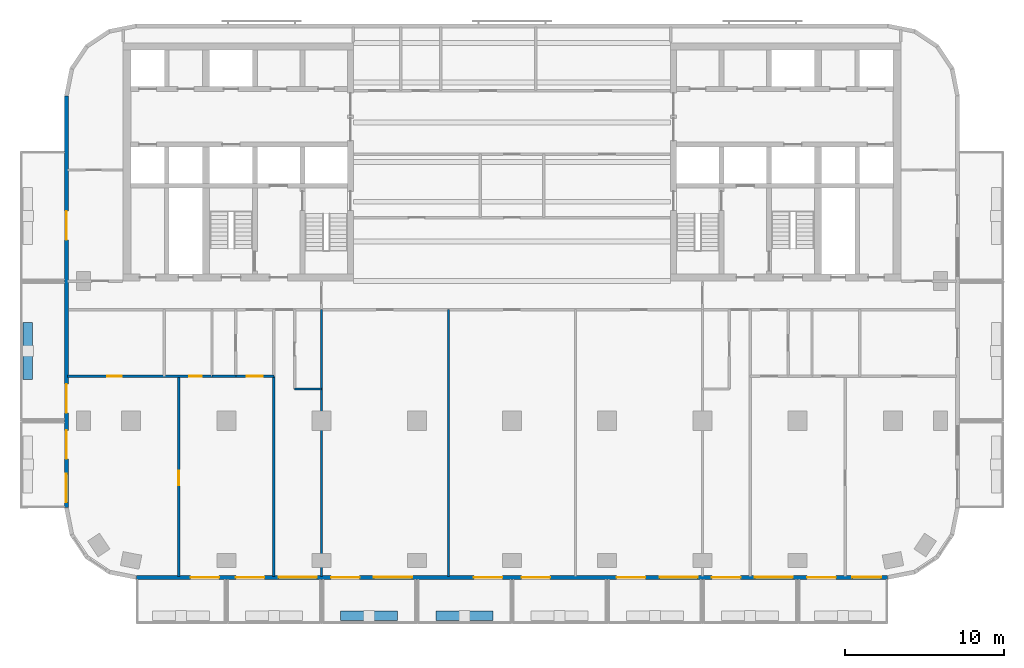
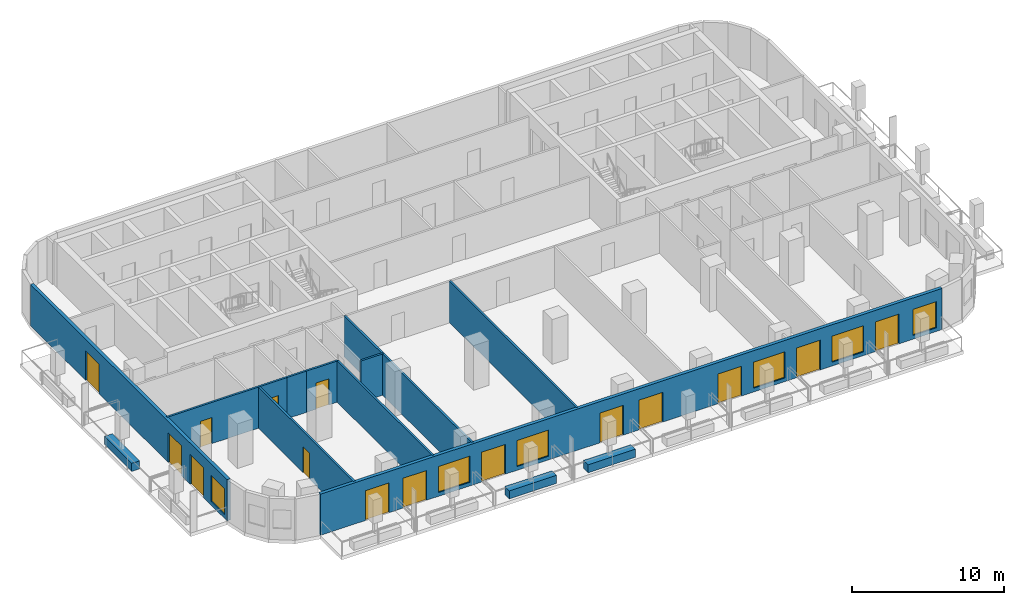
# One storey, part 2 of 11: 15 doors, 13 walls, 6 windows, 21 openings.
"""IFC4 building model written with IfcOpenShell, lengths in metres."""

from ifc_helpers import new_model, si_unit, direction, frame, frame_2d, origin, place, context, subcontext, project, spatial, rectangle, extrude, material, layer, layer_set, type_object, element, fill, save


model = new_model("IFC4")

# Units and contexts
model_context = context("Model", 3, precision=1e-05, world=origin(), true_north=direction((0.0, 1.0)))
body_context = subcontext(model_context, "Body", "Model", "MODEL_VIEW")
ifc_project = project(units=[si_unit("LENGTHUNIT", "METRE"), si_unit("AREAUNIT", "SQUARE_METRE"), si_unit("VOLUMEUNIT", "CUBIC_METRE"), si_unit("PLANEANGLEUNIT", "RADIAN"), si_unit("MASSUNIT", "GRAM", prefix="KILO")], contexts=[model_context])

# Site, building, storey
site_placement = place(None, origin())
site = spatial("IfcSite", under=ifc_project, at=site_placement, CompositionType="ELEMENT")
building_placement = place(site_placement, origin())
building = spatial("IfcBuilding", under=site, at=building_placement, Name="Torana Hotel and Residences", CompositionType="ELEMENT")
storey_placement = place(building_placement, frame((0.0, 0.0, 145.199951171875)))
storey = spatial("IfcBuildingStorey", under=building, at=storey_placement, Name="L37", CompositionType="ELEMENT", Elevation=145.199951171875)

# Wall, openings, doors, window
ifc_material_1 = material(Name="Black aluminium composite panel", Category="aluminium")
ifc_layer_1 = layer(ifc_material_1, 0.00390625, Name="Cladding", Category="cladding")
ifc_material_2 = material(Name="Ventilated air cavity")
ifc_layer_2 = layer(ifc_material_2, 0.0400390625, Name="Ventilated cavity", Category="cavity")
ifc_material_3 = material(Name="Mineral wool insulation")
ifc_layer_3 = layer(ifc_material_3, 0.090087890625, Name="Insulation", Category="insulation")
ifc_material_4 = material(Name="Steel S280GD", Category="steel")
ifc_layer_4 = layer(ifc_material_4, 0.092041015625, Name="Steel stud frame", Category="structure")
ifc_material_5 = material(Name="Fire rated plasterboard")
ifc_layer_5 = layer(ifc_material_5, 0.011962890625, Name="Inner board", Category="finish")
ifc_layer_6 = layer(ifc_material_5, 0.011962890625, Name="Second board", Category="finish")
ifc_layer_set_1 = layer_set([ifc_layer_1, ifc_layer_2, ifc_layer_3, ifc_layer_4, ifc_layer_5, ifc_layer_6], Name="EW1 EXTERNAL WALL BLACK METAL CLAD 250")
wall_type_1 = type_object("IfcWallType", Name="EW1 EXTERNAL WALL BLACK METAL CLAD 250", PredefinedType="SOLIDWALL", material=ifc_layer_set_1)
wall_1_placement = place(storey_placement, frame((-28.074951171875, -3.32470703125, 0.0), z_axis=(0.0, 0.0, 1.0), x_axis=(0.0, -1.0, 0.0)))
wall_1 = element("IfcWall", 1, at=wall_1_placement, inside=storey, type_object=wall_type_1, Name="External wall L37 e0.9", PredefinedType="SOLIDWALL", context=body_context, shape_type="SweptSolid", body=[
    extrude(rectangle(XDim=25.95068359375, YDim=0.25, at=frame_2d((12.975341796875, 0.0))), origin(), (0.0, 0.0, 1.0), 3.320068359375),
])
opening_1_placement = place(wall_1_placement, frame((7.275390625, 0.0, 0.0)))
opening_1 = element("IfcOpeningElement", 2, at=opening_1_placement, cuts=wall_1, Name="Opening L37-E12", PredefinedType="OPENING", context=body_context, shape_type="SweptSolid", body=[
    extrude(rectangle(XDim=1.800048828125, YDim=2.39990234375, at=frame_2d((0.89990234375, 1.199951171875))), frame((0.0, 0.135009765625, 0.0), z_axis=(0.0, -1.0, 0.0), x_axis=(1.0, 0.0, 0.0)), (0.0, 0.0, 1.0), 0.27001953125),
])
opening_2_placement = place(wall_1_placement, frame((18.17529296875, 0.0, 0.0)))
opening_2 = element("IfcOpeningElement", 3, at=opening_2_placement, cuts=wall_1, Name="Opening L37-E13", PredefinedType="OPENING", context=body_context, shape_type="SweptSolid", body=[
    extrude(rectangle(XDim=1.800048828125, YDim=2.39990234375, at=frame_2d((0.89990234375, 1.199951171875))), frame((0.0, 0.135009765625, 0.0), z_axis=(0.0, -1.0, 0.0), x_axis=(1.0, 0.0, 0.0)), (0.0, 0.0, 1.0), 0.27001953125),
])
opening_3_placement = place(wall_1_placement, frame((21.075439453125, 0.0, 0.0)))
opening_3 = element("IfcOpeningElement", 4, at=opening_3_placement, cuts=wall_1, Name="Opening L37-E14", PredefinedType="OPENING", context=body_context, shape_type="SweptSolid", body=[
    extrude(rectangle(XDim=1.800048828125, YDim=2.39990234375, at=frame_2d((0.89990234375, 1.199951171875))), frame((0.0, 0.135009765625, 0.0), z_axis=(0.0, -1.0, 0.0), x_axis=(1.0, 0.0, 0.0)), (0.0, 0.0, 1.0), 0.27001953125),
])
opening_4_placement = place(wall_1_placement, frame((23.825439453125, 0.0, 0.300048828125)))
opening_4 = element("IfcOpeningElement", 5, at=opening_4_placement, cuts=wall_1, Name="Opening W2", PredefinedType="OPENING", context=body_context, shape_type="SweptSolid", body=[
    extrude(rectangle(XDim=1.800048828125, YDim=2.10009765625, at=frame_2d((0.89990234375, 1.050048828125))), frame((0.0, 0.135009765625, 0.0), z_axis=(0.0, -1.0, 0.0), x_axis=(1.0, 0.0, 0.0)), (0.0, 0.0, 1.0), 0.27001953125),
])
ifc_material_6 = material(Name="Dark glass in black aluminium frame", Category="aluminium")
door_type_1 = type_object("IfcDoorType", Name="DB1 BALCONY DOOR 1800x2400", OperationType="DOUBLE_DOOR_SINGLE_SWING", PredefinedType="DOOR", material=ifc_material_6)
door_1_placement = place(opening_1_placement, origin())
door_1 = element("IfcDoor", 6, at=door_1_placement, inside=storey, type_object=door_type_1, Name="Balcony door L37", OperationType="DOUBLE_DOOR_SINGLE_SWING", OverallHeight=2.39990234375, OverallWidth=1.800048828125, PredefinedType="DOOR", context=body_context, shape_type="SweptSolid", body=[
    extrude(rectangle(XDim=1.800048828125, YDim=2.39990234375, at=frame_2d((0.89990234375, 1.199951171875))), frame((0.0, 0.02490234375, 0.0), z_axis=(0.0, -1.0, 0.0), x_axis=(1.0, 0.0, 0.0)), (0.0, 0.0, 1.0), 0.050048828125),
])
fill(opening_1, door_1)
door_2_placement = place(opening_2_placement, frame((0.89990234375, 0.0, 0.0), z_axis=(0.0, 0.0, 1.0), x_axis=(-1.0, 0.0, 0.0)))
door_2 = element("IfcDoor", 7, at=door_2_placement, inside=storey, type_object=door_type_1, Name="Balcony door L37", OperationType="DOUBLE_DOOR_SINGLE_SWING", OverallHeight=2.39990234375, OverallWidth=1.800048828125, PredefinedType="DOOR", context=body_context, shape_type="SweptSolid", body=[
    extrude(rectangle(XDim=1.800048828125, YDim=2.39990234375, at=frame_2d((0.0, 1.199951171875))), frame((0.0, -0.02490234375, 0.0), z_axis=(0.0, 1.0, 0.0), x_axis=(-1.0, 0.0, 0.0)), (0.0, 0.0, 1.0), 0.050048828125),
])
fill(opening_2, door_2)
door_3_placement = place(opening_3_placement, origin())
door_3 = element("IfcDoor", 8, at=door_3_placement, inside=storey, type_object=door_type_1, Name="Balcony door L37", OperationType="DOUBLE_DOOR_SINGLE_SWING", OverallHeight=2.39990234375, OverallWidth=1.800048828125, PredefinedType="DOOR", context=body_context, shape_type="SweptSolid", body=[
    extrude(rectangle(XDim=1.800048828125, YDim=2.39990234375, at=frame_2d((0.89990234375, 1.199951171875))), frame((0.0, 0.02490234375, 0.0), z_axis=(0.0, -1.0, 0.0), x_axis=(1.0, 0.0, 0.0)), (0.0, 0.0, 1.0), 0.050048828125),
])
fill(opening_3, door_3)
ifc_material_7 = material(Name="Dark glass in black aluminium frame", Category="aluminium")
window_type_1 = type_object("IfcWindowType", Name="W2 HOTEL ROOM WINDOW NARROW 1800x2100", PartitioningType="SINGLE_PANEL", PredefinedType="WINDOW", material=ifc_material_7)
window_1_placement = place(opening_4_placement, origin())
window_1 = element("IfcWindow", 9, at=window_1_placement, inside=storey, type_object=window_type_1, Name="Window L37", OverallHeight=2.10009765625, OverallWidth=1.800048828125, PartitioningType="SINGLE_PANEL", PredefinedType="WINDOW", context=body_context, shape_type="SweptSolid", body=[
    extrude(rectangle(XDim=1.800048828125, YDim=2.10009765625, at=frame_2d((0.89990234375, 1.050048828125))), frame((0.0, 0.030029296875, 0.0), z_axis=(0.0, -1.0, 0.0), x_axis=(1.0, 0.0, 0.0)), (0.0, 0.0, 1.0), 0.06005859375),
])
fill(opening_4, window_1)

# Wall, openings, doors, windows
wall_2_placement = place(storey_placement, frame((-23.67529296875, -33.675048828125, 0.0), z_axis=(0.0, 0.0, 1.0), x_axis=(1.0, 0.0, 0.0)))
wall_2 = element("IfcWall", 10, at=wall_2_placement, inside=storey, type_object=wall_type_1, Name="External wall L37 e0.14", PredefinedType="SOLIDWALL", context=body_context, shape_type="SweptSolid", body=[
    extrude(rectangle(XDim=47.3505859375, YDim=0.25, at=frame_2d((23.67529296875, 0.0))), origin(), (0.0, 0.0, 1.0), 3.320068359375),
])
opening_5_placement = place(wall_2_placement, frame((3.42529296875, 0.0, 0.0)))
opening_5 = element("IfcOpeningElement", 11, at=opening_5_placement, cuts=wall_2, Name="Opening L37-E01", PredefinedType="OPENING", context=body_context, shape_type="SweptSolid", body=[
    extrude(rectangle(XDim=1.800048828125, YDim=2.39990234375, at=frame_2d((0.89990234375, 1.199951171875))), frame((0.0, 0.135009765625, 0.0), z_axis=(0.0, -1.0, 0.0), x_axis=(1.0, 0.0, 0.0)), (0.0, 0.0, 1.0), 0.27001953125),
])
opening_6_placement = place(wall_2_placement, frame((6.275390625, 0.0, 0.0)))
opening_6 = element("IfcOpeningElement", 12, at=opening_6_placement, cuts=wall_2, Name="Opening L37-E02", PredefinedType="OPENING", context=body_context, shape_type="SweptSolid", body=[
    extrude(rectangle(XDim=1.800048828125, YDim=2.39990234375, at=frame_2d((0.89990234375, 1.199951171875))), frame((0.0, 0.135009765625, 0.0), z_axis=(0.0, -1.0, 0.0), x_axis=(1.0, 0.0, 0.0)), (0.0, 0.0, 1.0), 0.27001953125),
])
opening_7_placement = place(wall_2_placement, frame((8.975341796875, 0.0, 0.300048828125)))
opening_7 = element("IfcOpeningElement", 13, at=opening_7_placement, cuts=wall_2, Name="Opening W1", PredefinedType="OPENING", context=body_context, shape_type="SweptSolid", body=[
    extrude(rectangle(XDim=2.39990234375, YDim=2.10009765625, at=frame_2d((1.199951171875, 1.050048828125))), frame((0.0, 0.135009765625, 0.0), z_axis=(0.0, -1.0, 0.0), x_axis=(1.0, 0.0, 0.0)), (0.0, 0.0, 1.0), 0.27001953125),
])
opening_8_placement = place(wall_2_placement, frame((12.275390625, 0.0, 0.0)))
opening_8 = element("IfcOpeningElement", 14, at=opening_8_placement, cuts=wall_2, Name="Opening L37-E03", PredefinedType="OPENING", context=body_context, shape_type="SweptSolid", body=[
    extrude(rectangle(XDim=1.800048828125, YDim=2.39990234375, at=frame_2d((0.89990234375, 1.199951171875))), frame((0.0, 0.135009765625, 0.0), z_axis=(0.0, -1.0, 0.0), x_axis=(1.0, 0.0, 0.0)), (0.0, 0.0, 1.0), 0.27001953125),
])
opening_9_placement = place(wall_2_placement, frame((14.975341796875, 0.0, 0.300048828125)))
opening_9 = element("IfcOpeningElement", 15, at=opening_9_placement, cuts=wall_2, Name="Opening W1", PredefinedType="OPENING", context=body_context, shape_type="SweptSolid", body=[
    extrude(rectangle(XDim=2.39990234375, YDim=2.10009765625, at=frame_2d((1.199951171875, 1.050048828125))), frame((0.0, 0.135009765625, 0.0), z_axis=(0.0, -1.0, 0.0), x_axis=(1.0, 0.0, 0.0)), (0.0, 0.0, 1.0), 0.27001953125),
])
opening_10_placement = place(wall_2_placement, frame((21.275390625, 0.0, 0.0)))
opening_10 = element("IfcOpeningElement", 16, at=opening_10_placement, cuts=wall_2, Name="Opening L37-E04", PredefinedType="OPENING", context=body_context, shape_type="SweptSolid", body=[
    extrude(rectangle(XDim=1.800048828125, YDim=2.39990234375, at=frame_2d((0.89990234375, 1.199951171875))), frame((0.0, 0.135009765625, 0.0), z_axis=(0.0, -1.0, 0.0), x_axis=(1.0, 0.0, 0.0)), (0.0, 0.0, 1.0), 0.27001953125),
])
opening_11_placement = place(wall_2_placement, frame((24.275390625, 0.0, 0.0)))
opening_11 = element("IfcOpeningElement", 17, at=opening_11_placement, cuts=wall_2, Name="Opening L37-E05", PredefinedType="OPENING", context=body_context, shape_type="SweptSolid", body=[
    extrude(rectangle(XDim=1.800048828125, YDim=2.39990234375, at=frame_2d((0.89990234375, 1.199951171875))), frame((0.0, 0.135009765625, 0.0), z_axis=(0.0, -1.0, 0.0), x_axis=(1.0, 0.0, 0.0)), (0.0, 0.0, 1.0), 0.27001953125),
])
opening_12_placement = place(wall_2_placement, frame((30.275390625, 0.0, 0.0)))
opening_12 = element("IfcOpeningElement", 18, at=opening_12_placement, cuts=wall_2, Name="Opening L37-E06", PredefinedType="OPENING", context=body_context, shape_type="SweptSolid", body=[
    extrude(rectangle(XDim=1.800048828125, YDim=2.39990234375, at=frame_2d((0.89990234375, 1.199951171875))), frame((0.0, 0.135009765625, 0.0), z_axis=(0.0, -1.0, 0.0), x_axis=(1.0, 0.0, 0.0)), (0.0, 0.0, 1.0), 0.27001953125),
])
opening_13_placement = place(wall_2_placement, frame((32.975341796875, 0.0, 0.300048828125)))
opening_13 = element("IfcOpeningElement", 19, at=opening_13_placement, cuts=wall_2, Name="Opening W1", PredefinedType="OPENING", context=body_context, shape_type="SweptSolid", body=[
    extrude(rectangle(XDim=2.39990234375, YDim=2.10009765625, at=frame_2d((1.199951171875, 1.050048828125))), frame((0.0, 0.135009765625, 0.0), z_axis=(0.0, -1.0, 0.0), x_axis=(1.0, 0.0, 0.0)), (0.0, 0.0, 1.0), 0.27001953125),
])
opening_14_placement = place(wall_2_placement, frame((36.275390625, 0.0, 0.0)))
opening_14 = element("IfcOpeningElement", 20, at=opening_14_placement, cuts=wall_2, Name="Opening L37-E07", PredefinedType="OPENING", context=body_context, shape_type="SweptSolid", body=[
    extrude(rectangle(XDim=1.800048828125, YDim=2.39990234375, at=frame_2d((0.89990234375, 1.199951171875))), frame((0.0, 0.135009765625, 0.0), z_axis=(0.0, -1.0, 0.0), x_axis=(1.0, 0.0, 0.0)), (0.0, 0.0, 1.0), 0.27001953125),
])
opening_15_placement = place(wall_2_placement, frame((38.975341796875, 0.0, 0.300048828125)))
opening_15 = element("IfcOpeningElement", 21, at=opening_15_placement, cuts=wall_2, Name="Opening W1", PredefinedType="OPENING", context=body_context, shape_type="SweptSolid", body=[
    extrude(rectangle(XDim=2.39990234375, YDim=2.10009765625, at=frame_2d((1.199951171875, 1.050048828125))), frame((0.0, 0.135009765625, 0.0), z_axis=(0.0, -1.0, 0.0), x_axis=(1.0, 0.0, 0.0)), (0.0, 0.0, 1.0), 0.27001953125),
])
opening_16_placement = place(wall_2_placement, frame((42.275390625, 0.0, 0.0)))
opening_16 = element("IfcOpeningElement", 22, at=opening_16_placement, cuts=wall_2, Name="Opening L37-E08", PredefinedType="OPENING", context=body_context, shape_type="SweptSolid", body=[
    extrude(rectangle(XDim=1.800048828125, YDim=2.39990234375, at=frame_2d((0.89990234375, 1.199951171875))), frame((0.0, 0.135009765625, 0.0), z_axis=(0.0, -1.0, 0.0), x_axis=(1.0, 0.0, 0.0)), (0.0, 0.0, 1.0), 0.27001953125),
])
opening_17_placement = place(wall_2_placement, frame((45.12548828125, 0.0, 0.300048828125)))
opening_17 = element("IfcOpeningElement", 23, at=opening_17_placement, cuts=wall_2, Name="Opening W2", PredefinedType="OPENING", context=body_context, shape_type="SweptSolid", body=[
    extrude(rectangle(XDim=1.800048828125, YDim=2.10009765625, at=frame_2d((0.89990234375, 1.050048828125))), frame((0.0, 0.135009765625, 0.0), z_axis=(0.0, -1.0, 0.0), x_axis=(1.0, 0.0, 0.0)), (0.0, 0.0, 1.0), 0.27001953125),
])
door_4_placement = place(opening_5_placement, frame((0.89990234375, 0.0, 0.0), z_axis=(0.0, 0.0, 1.0), x_axis=(-1.0, 0.0, 0.0)))
door_4 = element("IfcDoor", 24, at=door_4_placement, inside=storey, type_object=door_type_1, Name="Balcony door L37", OperationType="DOUBLE_DOOR_SINGLE_SWING", OverallHeight=2.39990234375, OverallWidth=1.800048828125, PredefinedType="DOOR", context=body_context, shape_type="SweptSolid", body=[
    extrude(rectangle(XDim=1.800048828125, YDim=2.39990234375, at=frame_2d((0.0, 1.199951171875))), frame((0.0, -0.02490234375, 0.0), z_axis=(0.0, 1.0, 0.0), x_axis=(-1.0, 0.0, 0.0)), (0.0, 0.0, 1.0), 0.050048828125),
])
fill(opening_5, door_4)
door_5_placement = place(opening_6_placement, origin())
door_5 = element("IfcDoor", 25, at=door_5_placement, inside=storey, type_object=door_type_1, Name="Balcony door L37", OperationType="DOUBLE_DOOR_SINGLE_SWING", OverallHeight=2.39990234375, OverallWidth=1.800048828125, PredefinedType="DOOR", context=body_context, shape_type="SweptSolid", body=[
    extrude(rectangle(XDim=1.800048828125, YDim=2.39990234375, at=frame_2d((0.89990234375, 1.199951171875))), frame((0.0, 0.02490234375, 0.0), z_axis=(0.0, -1.0, 0.0), x_axis=(1.0, 0.0, 0.0)), (0.0, 0.0, 1.0), 0.050048828125),
])
fill(opening_6, door_5)
door_6_placement = place(opening_8_placement, origin())
door_6 = element("IfcDoor", 26, at=door_6_placement, inside=storey, type_object=door_type_1, Name="Balcony door L37", OperationType="DOUBLE_DOOR_SINGLE_SWING", OverallHeight=2.39990234375, OverallWidth=1.800048828125, PredefinedType="DOOR", context=body_context, shape_type="SweptSolid", body=[
    extrude(rectangle(XDim=1.800048828125, YDim=2.39990234375, at=frame_2d((0.89990234375, 1.199951171875))), frame((0.0, 0.02490234375, 0.0), z_axis=(0.0, -1.0, 0.0), x_axis=(1.0, 0.0, 0.0)), (0.0, 0.0, 1.0), 0.050048828125),
])
fill(opening_8, door_6)
door_7_placement = place(opening_10_placement, origin())
door_7 = element("IfcDoor", 27, at=door_7_placement, inside=storey, type_object=door_type_1, Name="Balcony door L37", OperationType="DOUBLE_DOOR_SINGLE_SWING", OverallHeight=2.39990234375, OverallWidth=1.800048828125, PredefinedType="DOOR", context=body_context, shape_type="SweptSolid", body=[
    extrude(rectangle(XDim=1.800048828125, YDim=2.39990234375, at=frame_2d((0.89990234375, 1.199951171875))), frame((0.0, 0.02490234375, 0.0), z_axis=(0.0, -1.0, 0.0), x_axis=(1.0, 0.0, 0.0)), (0.0, 0.0, 1.0), 0.050048828125),
])
fill(opening_10, door_7)
door_8_placement = place(opening_11_placement, origin())
door_8 = element("IfcDoor", 28, at=door_8_placement, inside=storey, type_object=door_type_1, Name="Balcony door L37", OperationType="DOUBLE_DOOR_SINGLE_SWING", OverallHeight=2.39990234375, OverallWidth=1.800048828125, PredefinedType="DOOR", context=body_context, shape_type="SweptSolid", body=[
    extrude(rectangle(XDim=1.800048828125, YDim=2.39990234375, at=frame_2d((0.89990234375, 1.199951171875))), frame((0.0, 0.02490234375, 0.0), z_axis=(0.0, -1.0, 0.0), x_axis=(1.0, 0.0, 0.0)), (0.0, 0.0, 1.0), 0.050048828125),
])
fill(opening_11, door_8)
door_9_placement = place(opening_12_placement, origin())
door_9 = element("IfcDoor", 29, at=door_9_placement, inside=storey, type_object=door_type_1, Name="Balcony door L37", OperationType="DOUBLE_DOOR_SINGLE_SWING", OverallHeight=2.39990234375, OverallWidth=1.800048828125, PredefinedType="DOOR", context=body_context, shape_type="SweptSolid", body=[
    extrude(rectangle(XDim=1.800048828125, YDim=2.39990234375, at=frame_2d((0.89990234375, 1.199951171875))), frame((0.0, 0.02490234375, 0.0), z_axis=(0.0, -1.0, 0.0), x_axis=(1.0, 0.0, 0.0)), (0.0, 0.0, 1.0), 0.050048828125),
])
fill(opening_12, door_9)
door_10_placement = place(opening_14_placement, origin())
door_10 = element("IfcDoor", 30, at=door_10_placement, inside=storey, type_object=door_type_1, Name="Balcony door L37", OperationType="DOUBLE_DOOR_SINGLE_SWING", OverallHeight=2.39990234375, OverallWidth=1.800048828125, PredefinedType="DOOR", context=body_context, shape_type="SweptSolid", body=[
    extrude(rectangle(XDim=1.800048828125, YDim=2.39990234375, at=frame_2d((0.89990234375, 1.199951171875))), frame((0.0, 0.02490234375, 0.0), z_axis=(0.0, -1.0, 0.0), x_axis=(1.0, 0.0, 0.0)), (0.0, 0.0, 1.0), 0.050048828125),
])
fill(opening_14, door_10)
door_11_placement = place(opening_16_placement, origin())
door_11 = element("IfcDoor", 31, at=door_11_placement, inside=storey, type_object=door_type_1, Name="Balcony door L37", OperationType="DOUBLE_DOOR_SINGLE_SWING", OverallHeight=2.39990234375, OverallWidth=1.800048828125, PredefinedType="DOOR", context=body_context, shape_type="SweptSolid", body=[
    extrude(rectangle(XDim=1.800048828125, YDim=2.39990234375, at=frame_2d((0.89990234375, 1.199951171875))), frame((0.0, 0.02490234375, 0.0), z_axis=(0.0, -1.0, 0.0), x_axis=(1.0, 0.0, 0.0)), (0.0, 0.0, 1.0), 0.050048828125),
])
fill(opening_16, door_11)
ifc_material_8 = material(Name="Dark glass in black aluminium frame", Category="aluminium")
window_type_2 = type_object("IfcWindowType", Name="W1 HOTEL ROOM WINDOW 2400x2100", PartitioningType="SINGLE_PANEL", PredefinedType="WINDOW", material=ifc_material_8)
window_2_placement = place(opening_7_placement, origin())
window_2 = element("IfcWindow", 32, at=window_2_placement, inside=storey, type_object=window_type_2, Name="Window L37", OverallHeight=2.10009765625, OverallWidth=2.39990234375, PartitioningType="SINGLE_PANEL", PredefinedType="WINDOW", context=body_context, shape_type="SweptSolid", body=[
    extrude(rectangle(XDim=2.39990234375, YDim=2.10009765625, at=frame_2d((1.199951171875, 1.050048828125))), frame((0.0, 0.030029296875, 0.0), z_axis=(0.0, -1.0, 0.0), x_axis=(1.0, 0.0, 0.0)), (0.0, 0.0, 1.0), 0.06005859375),
])
fill(opening_7, window_2)
window_3_placement = place(opening_9_placement, origin())
window_3 = element("IfcWindow", 33, at=window_3_placement, inside=storey, type_object=window_type_2, Name="Window L37", OverallHeight=2.10009765625, OverallWidth=2.39990234375, PartitioningType="SINGLE_PANEL", PredefinedType="WINDOW", context=body_context, shape_type="SweptSolid", body=[
    extrude(rectangle(XDim=2.39990234375, YDim=2.10009765625, at=frame_2d((1.199951171875, 1.050048828125))), frame((0.0, 0.030029296875, 0.0), z_axis=(0.0, -1.0, 0.0), x_axis=(1.0, 0.0, 0.0)), (0.0, 0.0, 1.0), 0.06005859375),
])
fill(opening_9, window_3)
window_4_placement = place(opening_13_placement, origin())
window_4 = element("IfcWindow", 34, at=window_4_placement, inside=storey, type_object=window_type_2, Name="Window L37", OverallHeight=2.10009765625, OverallWidth=2.39990234375, PartitioningType="SINGLE_PANEL", PredefinedType="WINDOW", context=body_context, shape_type="SweptSolid", body=[
    extrude(rectangle(XDim=2.39990234375, YDim=2.10009765625, at=frame_2d((1.199951171875, 1.050048828125))), frame((0.0, 0.030029296875, 0.0), z_axis=(0.0, -1.0, 0.0), x_axis=(1.0, 0.0, 0.0)), (0.0, 0.0, 1.0), 0.06005859375),
])
fill(opening_13, window_4)
window_5_placement = place(opening_15_placement, origin())
window_5 = element("IfcWindow", 35, at=window_5_placement, inside=storey, type_object=window_type_2, Name="Window L37", OverallHeight=2.10009765625, OverallWidth=2.39990234375, PartitioningType="SINGLE_PANEL", PredefinedType="WINDOW", context=body_context, shape_type="SweptSolid", body=[
    extrude(rectangle(XDim=2.39990234375, YDim=2.10009765625, at=frame_2d((1.199951171875, 1.050048828125))), frame((0.0, 0.030029296875, 0.0), z_axis=(0.0, -1.0, 0.0), x_axis=(1.0, 0.0, 0.0)), (0.0, 0.0, 1.0), 0.06005859375),
])
fill(opening_15, window_5)
window_6_placement = place(opening_17_placement, origin())
window_6 = element("IfcWindow", 36, at=window_6_placement, inside=storey, type_object=window_type_1, Name="Window L37", OverallHeight=2.10009765625, OverallWidth=1.800048828125, PartitioningType="SINGLE_PANEL", PredefinedType="WINDOW", context=body_context, shape_type="SweptSolid", body=[
    extrude(rectangle(XDim=1.800048828125, YDim=2.10009765625, at=frame_2d((0.89990234375, 1.050048828125))), frame((0.0, 0.030029296875, 0.0), z_axis=(0.0, -1.0, 0.0), x_axis=(1.0, 0.0, 0.0)), (0.0, 0.0, 1.0), 0.06005859375),
])
fill(opening_17, window_6)

# Wall, opening, door
ifc_material_9 = material(Name="Gypsum plaster")
ifc_layer_7 = layer(ifc_material_9, 0.014892578125, Name="Plaster", Category="finish")
ifc_material_10 = material(Name="Concrete blockwork", Category="masonry")
ifc_layer_8 = layer(ifc_material_10, 0.1201171875, Name="Blockwork", Category="structure")
ifc_layer_9 = layer(ifc_material_9, 0.014892578125, Name="Plaster", Category="finish")
ifc_layer_set_2 = layer_set([ifc_layer_7, ifc_layer_8, ifc_layer_9], Name="FIRE PARTITION 150 BLOCKWORK")
wall_type_2 = type_object("IfcWallType", Name="FIRE PARTITION 150 BLOCKWORK", PredefinedType="PARTITIONING", material=ifc_layer_set_2)
wall_3_placement = place(storey_placement, frame((-17.39990234375, -21.0, 0.0), z_axis=(0.0, 0.0, 1.0), x_axis=(1.0, 0.0, 0.0)))
wall_3 = element("IfcWall", 37, at=wall_3_placement, inside=storey, type_object=wall_type_2, Name="Partition L37", PredefinedType="PARTITIONING", context=body_context, shape_type="SweptSolid", body=[
    extrude(rectangle(XDim=2.39990234375, YDim=0.14990234375, at=frame_2d((1.199951171875, 0.0))), origin(), (0.0, 0.0, 1.0), 3.320068359375),
])
opening_18_placement = place(wall_3_placement, frame((0.699951171875, 0.0, 0.0)))
opening_18 = element("IfcOpeningElement", 38, at=opening_18_placement, cuts=wall_3, Name="Opening L37-49", PredefinedType="OPENING", context=body_context, shape_type="SweptSolid", body=[
    extrude(rectangle(XDim=1.0, YDim=2.10009765625, at=frame_2d((0.5, 1.050048828125))), frame((0.0, 0.0849609375, 0.0), z_axis=(0.0, -1.0, 0.0), x_axis=(1.0, 0.0, 0.0)), (0.0, 0.0, 1.0), 0.169921875),
])
ifc_material_11 = material(Name="Steel S235", Category="steel")
door_type_2 = type_object("IfcDoorType", Name="ENTRY FIRE DOOR D6 1000x2100", OperationType="SINGLE_SWING_LEFT", PredefinedType="DOOR", material=ifc_material_11)
door_12_placement = place(opening_18_placement, frame((0.5, 0.0, 0.0), z_axis=(0.0, 0.0, 1.0), x_axis=(-1.0, 0.0, 0.0)))
door_12 = element("IfcDoor", 39, at=door_12_placement, inside=storey, type_object=door_type_2, Name="Door L37", OperationType="SINGLE_SWING_RIGHT", OverallHeight=2.10009765625, OverallWidth=1.0, PredefinedType="DOOR", context=body_context, shape_type="SweptSolid", body=[
    extrude(rectangle(XDim=1.0, YDim=2.10009765625, at=frame_2d((0.0, 1.050048828125))), frame((0.0, -0.02490234375, 0.0), z_axis=(0.0, 1.0, 0.0), x_axis=(-1.0, 0.0, 0.0)), (0.0, 0.0, 1.0), 0.050048828125),
])
fill(opening_18, door_12)

# Walls
ifc_material_12 = material(Name="Gypsum plasterboard")
ifc_layer_10 = layer(ifc_material_12, 0.012451171875, Name="Plasterboard", Category="finish")
ifc_layer_11 = layer(ifc_material_12, 0.012451171875, Name="Plasterboard", Category="finish")
ifc_layer_12 = layer(ifc_material_4, 0.10009765625, Name="Steel studs with mineral wool", Category="insulation")
ifc_layer_13 = layer(ifc_material_12, 0.012451171875, Name="Plasterboard", Category="finish")
ifc_layer_14 = layer(ifc_material_12, 0.012451171875, Name="Plasterboard", Category="finish")
ifc_layer_set_3 = layer_set([ifc_layer_10, ifc_layer_11, ifc_layer_12, ifc_layer_13, ifc_layer_14], Name="PARTITION 150 PLASTERBOARD")
wall_type_3 = type_object("IfcWallType", Name="PARTITION 150 PLASTERBOARD", PredefinedType="PARTITIONING", material=ifc_layer_set_3)
for number, where, z_axis, x_axis, name in (
    (40, (-4.0, -33.6201171875, 0.0), (0.0, 0.0, 1.0), (0.0, 1.0, 0.0), "Partition L37"),
    (41, (-12.0, -33.6201171875, 0.0), (0.0, 0.0, 1.0), (0.0, 1.0, 0.0), "Partition L37"),
):
    element("IfcWall", number, at=place(storey_placement, frame(where, z_axis=z_axis, x_axis=x_axis)), inside=storey, type_object=wall_type_3, Name=name, PredefinedType="PARTITIONING", context=body_context, shape_type="SweptSolid", body=[
        extrude(rectangle(XDim=16.820068359375, YDim=0.14990234375, at=frame_2d((8.41015625, 0.0))), origin(), (0.0, 0.0, 1.0), 3.320068359375),
    ])
wall_4_placement = place(storey_placement, frame((-15.0, -33.6201171875, 0.0), z_axis=(0.0, 0.0, 1.0), x_axis=(0.0, 1.0, 0.0)))
element("IfcWall", 42, at=wall_4_placement, inside=storey, type_object=wall_type_3, Name="Partition L37", PredefinedType="PARTITIONING", context=body_context, shape_type="SweptSolid", body=[
    extrude(rectangle(XDim=12.6201171875, YDim=0.14990234375, at=frame_2d((6.31005859375, 0.0))), origin(), (0.0, 0.0, 1.0), 3.320068359375),
])

# Wall, opening, door
wall_5_placement = place(storey_placement, frame((-21.0, -33.6201171875, 0.0), z_axis=(0.0, 0.0, 1.0), x_axis=(0.0, 1.0, 0.0)))
wall_5 = element("IfcWall", 43, at=wall_5_placement, inside=storey, type_object=wall_type_3, Name="Partition L37", PredefinedType="PARTITIONING", context=body_context, shape_type="SweptSolid", body=[
    extrude(rectangle(XDim=12.6201171875, YDim=0.14990234375, at=frame_2d((6.31005859375, 0.0))), origin(), (0.0, 0.0, 1.0), 3.320068359375),
])
opening_19_placement = place(wall_5_placement, frame((5.77001953125, 0.0, 0.0)))
opening_19 = element("IfcOpeningElement", 44, at=opening_19_placement, cuts=wall_5, Name="Opening L37-52", PredefinedType="OPENING", context=body_context, shape_type="SweptSolid", body=[
    extrude(rectangle(XDim=0.89990234375, YDim=2.10009765625, at=frame_2d((0.449951171875, 1.050048828125))), frame((0.0, 0.0849609375, 0.0), z_axis=(0.0, -1.0, 0.0), x_axis=(1.0, 0.0, 0.0)), (0.0, 0.0, 1.0), 0.169921875),
])
ifc_material_13 = material(Name="Timber door, oiled ash", Category="wood")
door_type_3 = type_object("IfcDoorType", Name="ROOM DOOR D7 900x2100", OperationType="SINGLE_SWING_LEFT", PredefinedType="DOOR", material=ifc_material_13)
door_13_placement = place(opening_19_placement, origin())
door_13 = element("IfcDoor", 45, at=door_13_placement, inside=storey, type_object=door_type_3, Name="Door L37", OperationType="SINGLE_SWING_RIGHT", OverallHeight=2.10009765625, OverallWidth=0.89990234375, PredefinedType="DOOR", context=body_context, shape_type="SweptSolid", body=[
    extrude(rectangle(XDim=0.89990234375, YDim=2.10009765625, at=frame_2d((0.449951171875, 1.050048828125))), frame((0.0, 0.02490234375, 0.0), z_axis=(0.0, -1.0, 0.0), x_axis=(1.0, 0.0, 0.0)), (0.0, 0.0, 1.0), 0.050048828125),
])
fill(opening_19, door_13)

# Wall
wall_6_placement = place(storey_placement, frame((-13.699951171875, -21.800048828125, 0.0), z_axis=(0.0, 0.0, 1.0), x_axis=(1.0, 0.0, 0.0)))
element("IfcWall", 46, at=wall_6_placement, inside=storey, type_object=wall_type_3, Name="Partition L37", PredefinedType="PARTITIONING", context=body_context, shape_type="SweptSolid", body=[
    extrude(rectangle(XDim=1.699951171875, YDim=0.14990234375, at=frame_2d((0.85009765625, 0.0))), origin(), (0.0, 0.0, 1.0), 3.320068359375),
])

# Wall, openings, doors
wall_7_placement = place(storey_placement, frame((-28.02001953125, -21.0, 0.0), z_axis=(0.0, 0.0, 1.0), x_axis=(1.0, 0.0, 0.0)))
wall_7 = element("IfcWall", 47, at=wall_7_placement, inside=storey, type_object=wall_type_3, Name="Partition L37", PredefinedType="PARTITIONING", context=body_context, shape_type="SweptSolid", body=[
    extrude(rectangle(XDim=9.1201171875, YDim=0.14990234375, at=frame_2d((4.56005859375, 0.0))), origin(), (0.0, 0.0, 1.0), 3.320068359375),
])
opening_20_placement = place(wall_7_placement, frame((7.669921875, 0.0, 0.0)))
opening_20 = element("IfcOpeningElement", 48, at=opening_20_placement, cuts=wall_7, Name="Opening L37-50", PredefinedType="OPENING", context=body_context, shape_type="SweptSolid", body=[
    extrude(rectangle(XDim=0.800048828125, YDim=2.10009765625, at=frame_2d((0.39990234375, 1.050048828125))), frame((0.0, 0.0849609375, 0.0), z_axis=(0.0, -1.0, 0.0), x_axis=(1.0, 0.0, 0.0)), (0.0, 0.0, 1.0), 0.169921875),
])
opening_21_placement = place(wall_7_placement, frame((2.52001953125, 0.0, 0.0)))
opening_21 = element("IfcOpeningElement", 49, at=opening_21_placement, cuts=wall_7, Name="Opening L37-51", PredefinedType="OPENING", context=body_context, shape_type="SweptSolid", body=[
    extrude(rectangle(XDim=0.89990234375, YDim=2.10009765625, at=frame_2d((0.449951171875, 1.050048828125))), frame((0.0, 0.0849609375, 0.0), z_axis=(0.0, -1.0, 0.0), x_axis=(1.0, 0.0, 0.0)), (0.0, 0.0, 1.0), 0.169921875),
])
ifc_material_14 = material(Name="Timber door, painted", Category="wood")
door_type_4 = type_object("IfcDoorType", Name="BATH DOOR D13 800x2100", OperationType="SINGLE_SWING_LEFT", PredefinedType="DOOR", material=ifc_material_14)
door_14_placement = place(opening_20_placement, origin())
door_14 = element("IfcDoor", 50, at=door_14_placement, inside=storey, type_object=door_type_4, Name="Door L37", OperationType="SINGLE_SWING_LEFT", OverallHeight=2.10009765625, OverallWidth=0.800048828125, PredefinedType="DOOR", context=body_context, shape_type="SweptSolid", body=[
    extrude(rectangle(XDim=0.800048828125, YDim=2.10009765625, at=frame_2d((0.39990234375, 1.050048828125))), frame((0.0, 0.02490234375, 0.0), z_axis=(0.0, -1.0, 0.0), x_axis=(1.0, 0.0, 0.0)), (0.0, 0.0, 1.0), 0.050048828125),
])
fill(opening_20, door_14)
door_15_placement = place(opening_21_placement, origin())
door_15 = element("IfcDoor", 51, at=door_15_placement, inside=storey, type_object=door_type_3, Name="Door L37", OperationType="SINGLE_SWING_RIGHT", OverallHeight=2.10009765625, OverallWidth=0.89990234375, PredefinedType="DOOR", context=body_context, shape_type="SweptSolid", body=[
    extrude(rectangle(XDim=0.89990234375, YDim=2.10009765625, at=frame_2d((0.449951171875, 1.050048828125))), frame((0.0, 0.02490234375, 0.0), z_axis=(0.0, -1.0, 0.0), x_axis=(1.0, 0.0, 0.0)), (0.0, 0.0, 1.0), 0.050048828125),
])
fill(opening_21, door_15)

# Walls
ifc_material_15 = material(Name="Concrete C40/50 precast", Category="concrete")
ifc_layer_15 = layer(ifc_material_15, 0.10009765625, Name="Planter shell", Category="structure")
ifc_material_16 = material(Name="Root resistant membrane")
ifc_layer_16 = layer(ifc_material_16, 0.00390625, Name="Waterproofing membrane", Category="membrane")
ifc_material_17 = material(Name="Drainage board with filter fleece")
ifc_layer_17 = layer(ifc_material_17, 0.02001953125, Name="Drainage board", Category="drainage")
ifc_material_18 = material(Name="Growing medium")
ifc_layer_18 = layer(ifc_material_18, 0.47607421875, Name="Planting substrate", Category="soil")
ifc_layer_set_4 = layer_set([ifc_layer_15, ifc_layer_16, ifc_layer_17, ifc_layer_18], Name="PL1 BALCONY PLANTER 600")
wall_type_4 = type_object("IfcWallType", Name="PL1 BALCONY PLANTER 600", PredefinedType="USERDEFINED", material=ifc_layer_set_4)
for number, where, z_axis, x_axis, name in (
    (52, (-7.199951171875, -36.10009765625, 0.0), (0.0, 0.0, 1.0), (-1.0, 0.0, 0.0), "Planter 03"),
    (53, (-1.199951171875, -36.10009765625, 0.0), (0.0, 0.0, 1.0), (-1.0, 0.0, 0.0), "Planter 04"),
):
    element("IfcWall", number, at=place(storey_placement, frame(where, z_axis=z_axis, x_axis=x_axis)), inside=storey, type_object=wall_type_4, Name=name, ObjectType="PLANTER", PredefinedType="USERDEFINED", context=body_context, shape_type="SweptSolid", body=[
        extrude(rectangle(XDim=3.60009765625, YDim=0.60009765625, at=frame_2d((1.800048828125, 0.0))), origin(), (0.0, 0.0, 1.0), 0.650146484375),
    ])
wall_8_placement = place(storey_placement, frame((-30.5, -21.199951171875, 0.0), z_axis=(0.0, 0.0, 1.0), x_axis=(0.0, 1.0, 0.0)))
element("IfcWall", 54, at=wall_8_placement, inside=storey, type_object=wall_type_4, Name="Planter 10", ObjectType="PLANTER", PredefinedType="USERDEFINED", context=body_context, shape_type="SweptSolid", body=[
    extrude(rectangle(XDim=3.599853515625, YDim=0.60009765625, at=frame_2d((1.7998046875, 0.0))), origin(), (0.0, 0.0, 1.0), 0.650146484375),
])
ifc_material_19 = material(Name="Ceramic tile on adhesive")
ifc_layer_19 = layer(ifc_material_19, 0.010009765625, Name="Wall tile", Category="finish")
ifc_material_20 = material(Name="Cement render")
ifc_layer_20 = layer(ifc_material_20, 0.010009765625, Name="Render", Category="finish")
ifc_layer_21 = layer(ifc_material_10, 0.110107421875, Name="Blockwork", Category="structure")
ifc_layer_22 = layer(ifc_material_20, 0.010009765625, Name="Render", Category="finish")
ifc_layer_23 = layer(ifc_material_19, 0.010009765625, Name="Wall tile", Category="finish")
ifc_layer_set_5 = layer_set([ifc_layer_19, ifc_layer_20, ifc_layer_21, ifc_layer_22, ifc_layer_23], Name="WC PARTITION 150")
wall_type_5 = type_object("IfcWallType", Name="WC PARTITION 150", PredefinedType="PLUMBINGWALL", material=ifc_layer_set_5)
wall_9_placement = place(storey_placement, frame((-18.89990234375, -21.0, 0.0), z_axis=(0.0, 0.0, 1.0), x_axis=(1.0, 0.0, 0.0)))
element("IfcWall", 55, at=wall_9_placement, inside=storey, type_object=wall_type_5, Name="Partition L37", PredefinedType="PLUMBINGWALL", context=body_context, shape_type="SweptSolid", body=[
    extrude(rectangle(XDim=1.5, YDim=0.14990234375, at=frame_2d((0.75, 0.0))), origin(), (0.0, 0.0, 1.0), 3.320068359375),
])

save(model, "model.ifc")
